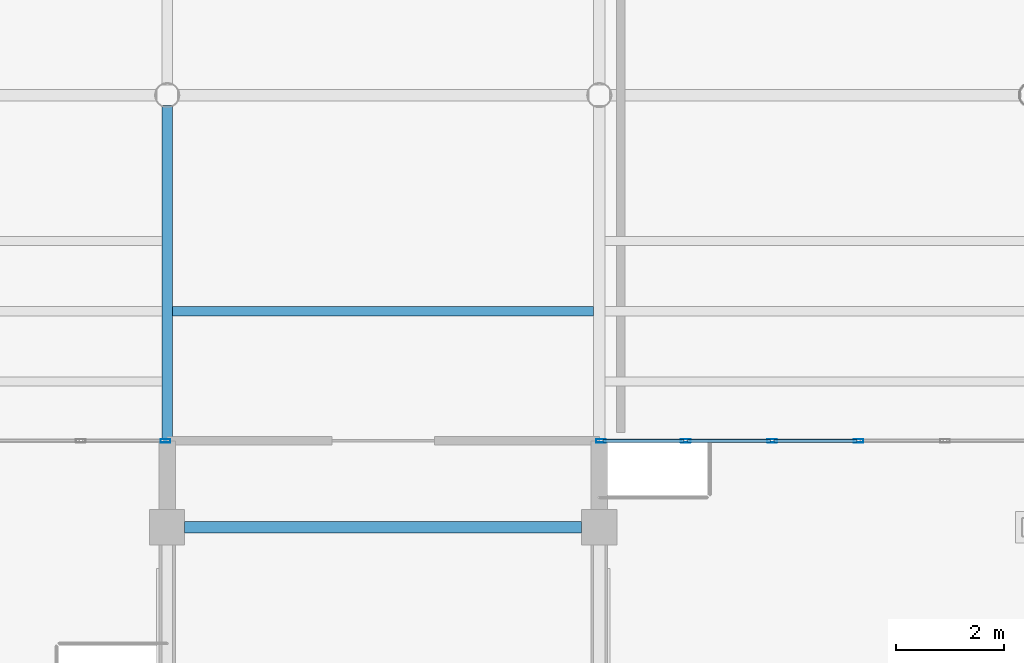
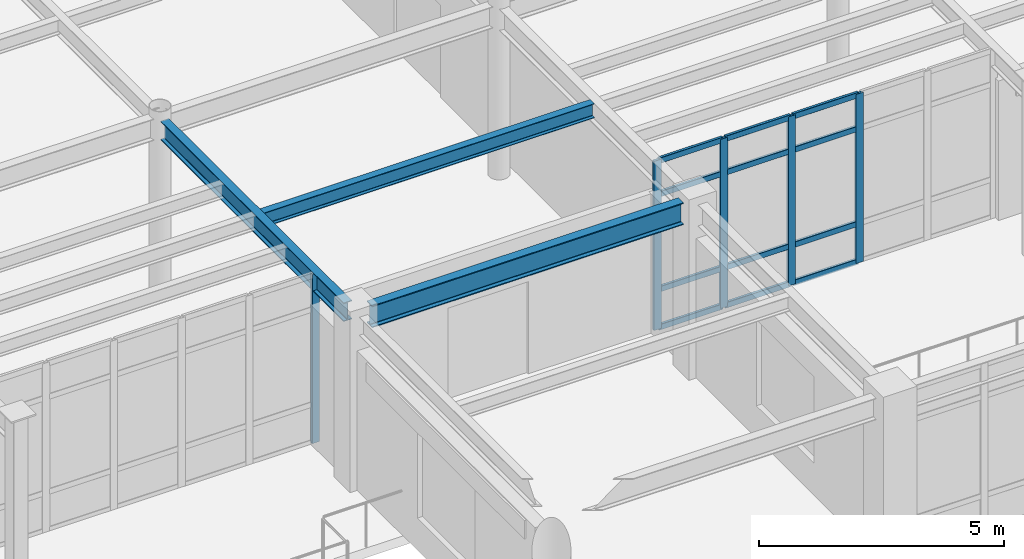
# One storey, part 48 of 111: 17 members, 3 beams, 2 elements without a shape of their own.
"""IFC4 building model written with IfcOpenShell, lengths in metres."""

from ifc_helpers import new_model, si_unit, direction, frame, origin, origin_2d, place, context, subcontext, project, spatial, hollow_rectangle, i_section, extrude, material, material_profile, profile_set, type_object, element, aggregate, save


model = new_model("IFC4")

# Units and contexts
model_context = context("Model", 3, precision=1e-05, world=origin(), true_north=direction((0.0, 1.0)))
body_context = subcontext(model_context, "Body", "Model", "MODEL_VIEW")
ifc_project = project(units=[si_unit("LENGTHUNIT", "METRE"), si_unit("AREAUNIT", "SQUARE_METRE"), si_unit("VOLUMEUNIT", "CUBIC_METRE"), si_unit("PLANEANGLEUNIT", "RADIAN"), si_unit("MASSUNIT", "GRAM", prefix="KILO")], contexts=[model_context])

# Site, building, storey
site_placement = place(None, origin())
site = spatial("IfcSite", under=ifc_project, at=site_placement, CompositionType="ELEMENT")
building_placement = place(site_placement, origin())
building = spatial("IfcBuilding", under=site, at=building_placement, Name="Solmirada Galleria", CompositionType="ELEMENT")
storey_placement = place(building_placement, frame((0.0, 0.0, 10.39990234375)))
storey = spatial("IfcBuildingStorey", under=building, at=storey_placement, Name="L02", CompositionType="ELEMENT", Elevation=10.39990234375)

# Beams
ifc_material_1 = material(Name="Steel S355 / ASTM A992 Grade 50", Category="steel")
ifc_material_profile_1 = material_profile(ifc_material_1, i_section(OverallWidth=0.194091796875, OverallDepth=0.468994140625, WebThickness=0.0126953125, FlangeThickness=0.0205078125, FilletRadius=0.013916015625, at=origin_2d()), Name="W18X71")
ifc_profile_set_1 = profile_set([ifc_material_profile_1], Name="Steel S355 / ASTM A992 Grade 50")
beam_type_1 = type_object("IfcBeamType", Name="BM-GIRD-W18B", PredefinedType="BEAM", material=ifc_profile_set_1)
beam_1_placement = place(storey_placement, frame((88.0, 80.324951171875, 4.025634765625), z_axis=(0.0, 1.0, 0.0), x_axis=(-1.0, 0.0, 0.0)))
element("IfcBeam", 1, at=beam_1_placement, inside=storey, type_object=beam_type_1, Name="Primary girder L03 Y(88, 80..88)", PredefinedType="BEAM", context=body_context, shape_type="SweptSolid", body=[
    extrude(i_section(OverallWidth=0.194091796875, OverallDepth=0.468994140625, WebThickness=0.0126953125, FlangeThickness=0.0205078125, FilletRadius=0.013916015625, at=origin_2d()), origin(), (0.0, 0.0, 1.0), 7.483154296875),
])
ifc_material_profile_2 = material_profile(ifc_material_1, i_section(OverallWidth=0.214111328125, OverallDepth=0.549072265625, WebThickness=0.0146484375, FlangeThickness=0.023681640625, FilletRadius=0.014892578125, at=origin_2d()), Name="W21X93")
ifc_profile_set_2 = profile_set([ifc_material_profile_2], Name="Steel S355 / ASTM A992 Grade 50")
beam_type_2 = type_object("IfcBeamType", Name="BM-GIRD-W21A", PredefinedType="BEAM", material=ifc_profile_set_2)
beam_2_placement = place(storey_placement, frame((88.324951171875, 80.0, 4.025634765625), z_axis=(1.0, 0.0, 0.0), x_axis=(0.0, 1.0, 0.0)))
element("IfcBeam", 2, at=beam_2_placement, inside=storey, type_object=beam_type_2, Name="Primary beam L03 X(88..96, 80)", PredefinedType="BEAM", context=body_context, shape_type="SweptSolid", body=[
    extrude(i_section(OverallWidth=0.214111328125, OverallDepth=0.549072265625, WebThickness=0.0146484375, FlangeThickness=0.023681640625, FilletRadius=0.014892578125, at=origin_2d()), origin(), (0.0, 0.0, 1.0), 7.35009765625),
])
ifc_material_profile_3 = material_profile(ifc_material_1, i_section(OverallWidth=0.172119140625, OverallDepth=0.35791015625, WebThickness=0.0078125, FlangeThickness=0.01318359375, FilletRadius=0.011962890625, at=origin_2d()), Name="W14X38")
ifc_profile_set_3 = profile_set([ifc_material_profile_3], Name="Steel S355 / ASTM A992 Grade 50")
beam_type_3 = type_object("IfcBeamType", Name="BM-JST-W14A", PredefinedType="JOIST", material=ifc_profile_set_3)
beam_3_placement = place(storey_placement, frame((88.096923828125, 84.0, 4.0810546875), z_axis=(1.0, 0.0, 0.0), x_axis=(0.0, 1.0, 0.0)))
element("IfcBeam", 3, at=beam_3_placement, inside=storey, type_object=beam_type_3, Name="Composite floor joist L03 (88..96, 84.0)", PredefinedType="JOIST", context=body_context, shape_type="SweptSolid", body=[
    extrude(i_section(OverallWidth=0.172119140625, OverallDepth=0.35791015625, WebThickness=0.0078125, FlangeThickness=0.01318359375, FilletRadius=0.011962890625, at=origin_2d()), origin(), (0.0, 0.0, 1.0), 7.798095703125),
])

# Curtain wall, member
ifc_material_2 = material(Name="Impact-resistant low-E double glazing", Category="glass")
curtain_wall_type = type_object("IfcCurtainWallType", Name="CW-FZ4-L02-B5-L080", PredefinedType="NOTDEFINED", material=ifc_material_2)
curtain_wall_1_placement = place(storey_placement, origin())
curtain_wall_1 = element("IfcCurtainWall", 4, at=curtain_wall_1_placement, inside=storey, type_object=curtain_wall_type, Name="Terrace and arcade storefront CW-L02-088", PredefinedType="NOTDEFINED")
ifc_material_3 = material(Name="Anodised aluminium framing", Category="aluminium")
ifc_material_profile_4 = material_profile(ifc_material_3, hollow_rectangle(XDim=0.06494140625, YDim=0.179931640625, WallThickness=0.00390625, InnerFilletRadius=0.00390625, OuterFilletRadius=0.008056640625, at=origin_2d()), Name="ALU-MULL-180X65")
ifc_profile_set_4 = profile_set([ifc_material_profile_4], Name="Anodised aluminium framing")
member_type_1 = type_object("IfcMemberType", Name="CW-MULL-180", PredefinedType="MULLION", material=ifc_profile_set_4)
member_1_placement = place(storey_placement, frame((87.967529296875, 81.60009765625, 0.0), z_axis=(0.0, 0.0, 1.0), x_axis=(0.0, -1.0, 0.0)))
member_1 = element("IfcMember", 5, at=member_1_placement, type_object=member_type_1, Name="CW22 mullion 1", PredefinedType="MULLION", context=body_context, shape_type="SweptSolid", body=[
    extrude(hollow_rectangle(XDim=0.06494140625, YDim=0.179931640625, WallThickness=0.00390625, InnerFilletRadius=0.00390625, OuterFilletRadius=0.008056640625, at=origin_2d()), origin(), (0.0, 0.0, 1.0), 4.22021484375),
])
aggregate(curtain_wall_1, [member_1])

# Curtain wall, members
curtain_wall_2_placement = place(storey_placement, origin())
curtain_wall_2 = element("IfcCurtainWall", 6, at=curtain_wall_2_placement, inside=storey, type_object=curtain_wall_type, Name="Terrace and arcade storefront CW-L02-103", PredefinedType="NOTDEFINED")
member_2_placement = place(storey_placement, frame((100.800048828125, 81.60009765625, 0.0), z_axis=(0.0, 0.0, 1.0), x_axis=(0.0, -1.0, 0.0)))
member_2 = element("IfcMember", 7, at=member_2_placement, type_object=member_type_1, Name="CW22 mullion 3", PredefinedType="MULLION", context=body_context, shape_type="SweptSolid", body=[
    extrude(hollow_rectangle(XDim=0.06494140625, YDim=0.179931640625, WallThickness=0.00390625, InnerFilletRadius=0.00390625, OuterFilletRadius=0.008056640625, at=origin_2d()), origin(), (0.0, 0.0, 1.0), 4.22021484375),
])
member_3_placement = place(storey_placement, frame((99.199951171875, 81.60009765625, 0.0), z_axis=(0.0, 0.0, 1.0), x_axis=(0.0, -1.0, 0.0)))
member_3 = element("IfcMember", 8, at=member_3_placement, type_object=member_type_1, Name="CW22 mullion 4", PredefinedType="MULLION", context=body_context, shape_type="SweptSolid", body=[
    extrude(hollow_rectangle(XDim=0.06494140625, YDim=0.179931640625, WallThickness=0.00390625, InnerFilletRadius=0.00390625, OuterFilletRadius=0.008056640625, at=origin_2d()), origin(), (0.0, 0.0, 1.0), 4.22021484375),
])
member_4_placement = place(storey_placement, frame((97.60009765625, 81.60009765625, 0.0), z_axis=(0.0, 0.0, 1.0), x_axis=(0.0, -1.0, 0.0)))
member_4 = element("IfcMember", 9, at=member_4_placement, type_object=member_type_1, Name="CW22 mullion 5", PredefinedType="MULLION", context=body_context, shape_type="SweptSolid", body=[
    extrude(hollow_rectangle(XDim=0.06494140625, YDim=0.179931640625, WallThickness=0.00390625, InnerFilletRadius=0.00390625, OuterFilletRadius=0.008056640625, at=origin_2d()), origin(), (0.0, 0.0, 1.0), 4.22021484375),
])
member_5_placement = place(storey_placement, frame((96.032470703125, 81.60009765625, 0.0), z_axis=(0.0, 0.0, 1.0), x_axis=(0.0, -1.0, 0.0)))
member_5 = element("IfcMember", 10, at=member_5_placement, type_object=member_type_1, Name="CW22 mullion 6", PredefinedType="MULLION", context=body_context, shape_type="SweptSolid", body=[
    extrude(hollow_rectangle(XDim=0.06494140625, YDim=0.179931640625, WallThickness=0.00390625, InnerFilletRadius=0.00390625, OuterFilletRadius=0.008056640625, at=origin_2d()), origin(), (0.0, 0.0, 1.0), 4.22021484375),
])
ifc_material_profile_5 = material_profile(ifc_material_3, hollow_rectangle(XDim=0.06494140625, YDim=0.139892578125, WallThickness=0.00341796875, InnerFilletRadius=0.00341796875, OuterFilletRadius=0.007080078125, at=origin_2d()), Name="ALU-TRAN-140X65")
ifc_profile_set_5 = profile_set([ifc_material_profile_5], Name="Anodised aluminium framing")
member_type_2 = type_object("IfcMemberType", Name="CW-TRAN-140", PredefinedType="USERDEFINED", material=ifc_profile_set_5)
member_6_placement = place(storey_placement, frame((100.767578125, 81.60009765625, 0.03271484375), z_axis=(-1.0, 0.0, 0.0), x_axis=(0.0, -1.0, 0.0)))
member_6 = element("IfcMember", 11, at=member_6_placement, type_object=member_type_2, Name="CW22 transom 3.1", ObjectType="TRANSOM", PredefinedType="USERDEFINED", context=body_context, shape_type="SweptSolid", body=[
    extrude(hollow_rectangle(XDim=0.06494140625, YDim=0.139892578125, WallThickness=0.00341796875, InnerFilletRadius=0.00341796875, OuterFilletRadius=0.007080078125, at=origin_2d()), origin(), (0.0, 0.0, 1.0), 1.53515625),
])
member_7_placement = place(storey_placement, frame((100.767578125, 81.60009765625, 0.97998046875), z_axis=(-1.0, 0.0, 0.0), x_axis=(0.0, -1.0, 0.0)))
member_7 = element("IfcMember", 12, at=member_7_placement, type_object=member_type_2, Name="CW22 transom 3.2", ObjectType="TRANSOM", PredefinedType="USERDEFINED", context=body_context, shape_type="SweptSolid", body=[
    extrude(hollow_rectangle(XDim=0.06494140625, YDim=0.139892578125, WallThickness=0.00341796875, InnerFilletRadius=0.00341796875, OuterFilletRadius=0.007080078125, at=origin_2d()), origin(), (0.0, 0.0, 1.0), 1.53515625),
])
member_8_placement = place(storey_placement, frame((100.767578125, 81.60009765625, 3.35009765625), z_axis=(-1.0, 0.0, 0.0), x_axis=(0.0, -1.0, 0.0)))
member_8 = element("IfcMember", 13, at=member_8_placement, type_object=member_type_2, Name="CW22 transom 3.3", ObjectType="TRANSOM", PredefinedType="USERDEFINED", context=body_context, shape_type="SweptSolid", body=[
    extrude(hollow_rectangle(XDim=0.06494140625, YDim=0.139892578125, WallThickness=0.00341796875, InnerFilletRadius=0.00341796875, OuterFilletRadius=0.007080078125, at=origin_2d()), origin(), (0.0, 0.0, 1.0), 1.53515625),
])
member_9_placement = place(storey_placement, frame((100.767578125, 81.60009765625, 4.1875), z_axis=(-1.0, 0.0, 0.0), x_axis=(0.0, -1.0, 0.0)))
member_9 = element("IfcMember", 14, at=member_9_placement, type_object=member_type_2, Name="CW22 transom 3.4", ObjectType="TRANSOM", PredefinedType="USERDEFINED", context=body_context, shape_type="SweptSolid", body=[
    extrude(hollow_rectangle(XDim=0.06494140625, YDim=0.139892578125, WallThickness=0.00341796875, InnerFilletRadius=0.00341796875, OuterFilletRadius=0.007080078125, at=origin_2d()), origin(), (0.0, 0.0, 1.0), 1.53515625),
])
member_10_placement = place(storey_placement, frame((99.16748046875, 81.60009765625, 0.03271484375), z_axis=(-1.0, 0.0, 0.0), x_axis=(0.0, -1.0, 0.0)))
member_10 = element("IfcMember", 15, at=member_10_placement, type_object=member_type_2, Name="CW22 transom 4.1", ObjectType="TRANSOM", PredefinedType="USERDEFINED", context=body_context, shape_type="SweptSolid", body=[
    extrude(hollow_rectangle(XDim=0.06494140625, YDim=0.139892578125, WallThickness=0.00341796875, InnerFilletRadius=0.00341796875, OuterFilletRadius=0.007080078125, at=origin_2d()), origin(), (0.0, 0.0, 1.0), 1.534912109375),
])
member_11_placement = place(storey_placement, frame((99.16748046875, 81.60009765625, 0.97998046875), z_axis=(-1.0, 0.0, 0.0), x_axis=(0.0, -1.0, 0.0)))
member_11 = element("IfcMember", 16, at=member_11_placement, type_object=member_type_2, Name="CW22 transom 4.2", ObjectType="TRANSOM", PredefinedType="USERDEFINED", context=body_context, shape_type="SweptSolid", body=[
    extrude(hollow_rectangle(XDim=0.06494140625, YDim=0.139892578125, WallThickness=0.00341796875, InnerFilletRadius=0.00341796875, OuterFilletRadius=0.007080078125, at=origin_2d()), origin(), (0.0, 0.0, 1.0), 1.534912109375),
])
member_12_placement = place(storey_placement, frame((99.16748046875, 81.60009765625, 3.35009765625), z_axis=(-1.0, 0.0, 0.0), x_axis=(0.0, -1.0, 0.0)))
member_12 = element("IfcMember", 17, at=member_12_placement, type_object=member_type_2, Name="CW22 transom 4.3", ObjectType="TRANSOM", PredefinedType="USERDEFINED", context=body_context, shape_type="SweptSolid", body=[
    extrude(hollow_rectangle(XDim=0.06494140625, YDim=0.139892578125, WallThickness=0.00341796875, InnerFilletRadius=0.00341796875, OuterFilletRadius=0.007080078125, at=origin_2d()), origin(), (0.0, 0.0, 1.0), 1.534912109375),
])
member_13_placement = place(storey_placement, frame((99.16748046875, 81.60009765625, 4.1875), z_axis=(-1.0, 0.0, 0.0), x_axis=(0.0, -1.0, 0.0)))
member_13 = element("IfcMember", 18, at=member_13_placement, type_object=member_type_2, Name="CW22 transom 4.4", ObjectType="TRANSOM", PredefinedType="USERDEFINED", context=body_context, shape_type="SweptSolid", body=[
    extrude(hollow_rectangle(XDim=0.06494140625, YDim=0.139892578125, WallThickness=0.00341796875, InnerFilletRadius=0.00341796875, OuterFilletRadius=0.007080078125, at=origin_2d()), origin(), (0.0, 0.0, 1.0), 1.534912109375),
])
member_14_placement = place(storey_placement, frame((97.5673828125, 81.60009765625, 0.03271484375), z_axis=(-1.0, 0.0, 0.0), x_axis=(0.0, -1.0, 0.0)))
member_14 = element("IfcMember", 19, at=member_14_placement, type_object=member_type_2, Name="CW22 transom 5.1", ObjectType="TRANSOM", PredefinedType="USERDEFINED", context=body_context, shape_type="SweptSolid", body=[
    extrude(hollow_rectangle(XDim=0.06494140625, YDim=0.139892578125, WallThickness=0.00341796875, InnerFilletRadius=0.00341796875, OuterFilletRadius=0.007080078125, at=origin_2d()), origin(), (0.0, 0.0, 1.0), 1.50244140625),
])
member_15_placement = place(storey_placement, frame((97.5673828125, 81.60009765625, 0.97998046875), z_axis=(-1.0, 0.0, 0.0), x_axis=(0.0, -1.0, 0.0)))
member_15 = element("IfcMember", 20, at=member_15_placement, type_object=member_type_2, Name="CW22 transom 5.2", ObjectType="TRANSOM", PredefinedType="USERDEFINED", context=body_context, shape_type="SweptSolid", body=[
    extrude(hollow_rectangle(XDim=0.06494140625, YDim=0.139892578125, WallThickness=0.00341796875, InnerFilletRadius=0.00341796875, OuterFilletRadius=0.007080078125, at=origin_2d()), origin(), (0.0, 0.0, 1.0), 1.50244140625),
])
member_16_placement = place(storey_placement, frame((97.5673828125, 81.60009765625, 3.35009765625), z_axis=(-1.0, 0.0, 0.0), x_axis=(0.0, -1.0, 0.0)))
member_16 = element("IfcMember", 21, at=member_16_placement, type_object=member_type_2, Name="CW22 transom 5.3", ObjectType="TRANSOM", PredefinedType="USERDEFINED", context=body_context, shape_type="SweptSolid", body=[
    extrude(hollow_rectangle(XDim=0.06494140625, YDim=0.139892578125, WallThickness=0.00341796875, InnerFilletRadius=0.00341796875, OuterFilletRadius=0.007080078125, at=origin_2d()), origin(), (0.0, 0.0, 1.0), 1.50244140625),
])
member_17_placement = place(storey_placement, frame((97.5673828125, 81.60009765625, 4.1875), z_axis=(-1.0, 0.0, 0.0), x_axis=(0.0, -1.0, 0.0)))
member_17 = element("IfcMember", 22, at=member_17_placement, type_object=member_type_2, Name="CW22 transom 5.4", ObjectType="TRANSOM", PredefinedType="USERDEFINED", context=body_context, shape_type="SweptSolid", body=[
    extrude(hollow_rectangle(XDim=0.06494140625, YDim=0.139892578125, WallThickness=0.00341796875, InnerFilletRadius=0.00341796875, OuterFilletRadius=0.007080078125, at=origin_2d()), origin(), (0.0, 0.0, 1.0), 1.50244140625),
])
aggregate(curtain_wall_2, [member_2, member_3, member_4, member_5, member_6, member_7, member_8, member_9, member_10, member_11, member_12, member_13, member_14, member_15, member_16, member_17])

save(model, "model.ifc")
